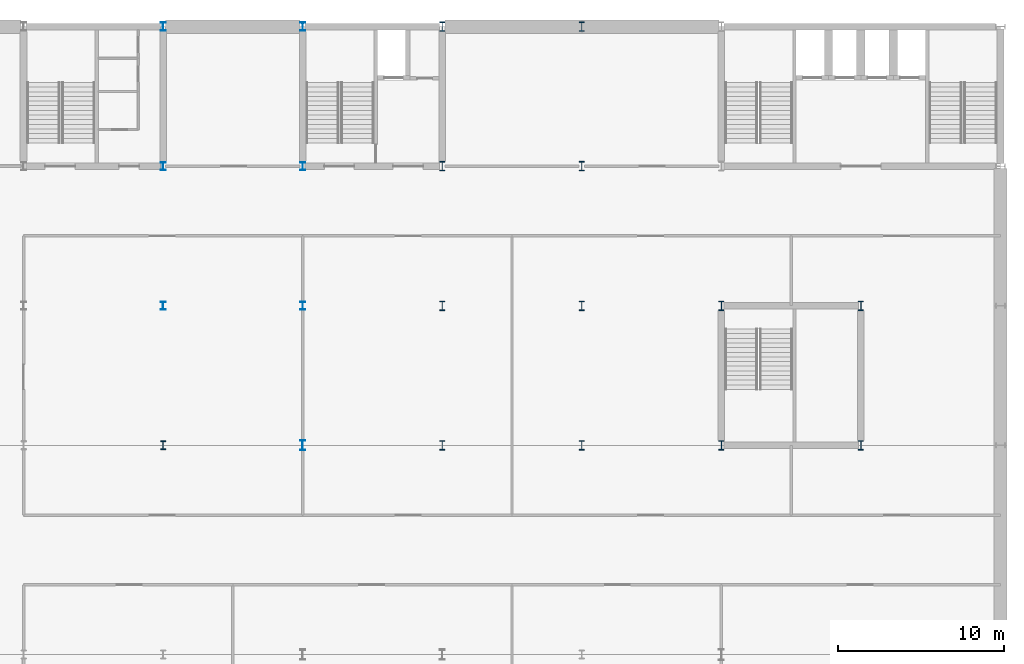
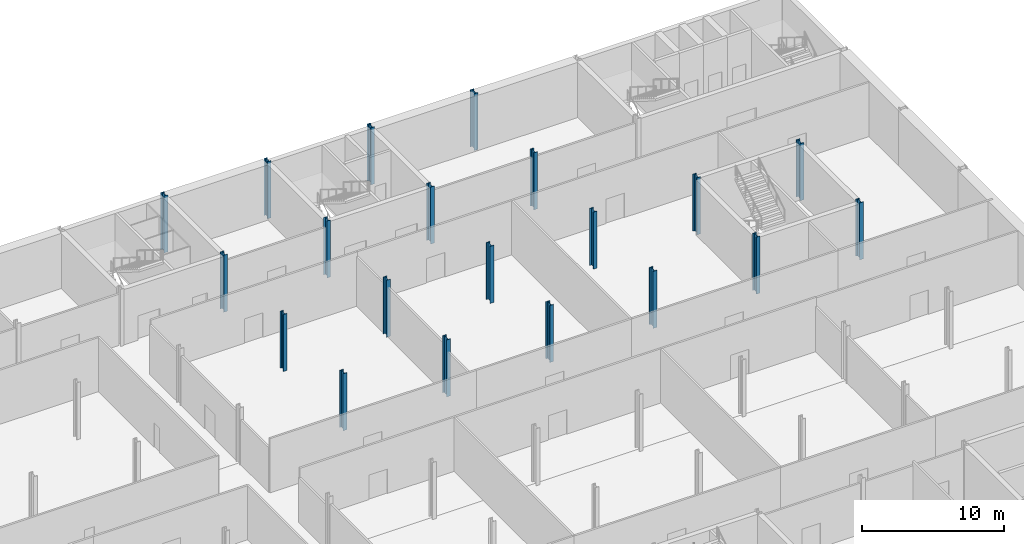
# One storey, part 7 of 20: 20 columns.
"""IFC4 building model written with IfcOpenShell, lengths in metres."""

import ifcopenshell
import ifcopenshell.guid

model = None  # the IFC model being written
_history = None  # IfcOwnerHistory: only IFC2X3 demands one
_inside = {}  # id of a spatial element -> (the spatial element, [elements in it])
_under = {}  # id of a project, library or spatial element -> (it, [spatial elements below it])
_declared = {}  # id of a project -> (the project, [libraries it declares])
_typed = {}  # id of a type object -> (the type object, [elements of that type])
_made_of = {}  # id of a material, layer set ... -> (it, [elements and type objects made of it])


def new_model(schema):
    """Start an empty IFC model of exactly this schema.

    Asked for "IFC4X3", IfcOpenShell would pick the latest addendum, in which some entities
    have other attributes; the version numbers below select the first issue.
    IFC2X3 requires an IfcOwnerHistory on every rooted entity: one is made here for all.
    """
    global model, _history
    if schema == "IFC4X3":
        model = ifcopenshell.file(schema_version=(4, 3, 0, 0))
    else:
        model = ifcopenshell.file(schema=schema)
    _inside.clear()
    _under.clear()
    _declared.clear()
    _typed.clear()
    _made_of.clear()
    _history = None
    if model.schema == "IFC2X3":
        org = make("IfcOrganization", Name="unknown")
        user = make(
            "IfcPersonAndOrganization",
            ThePerson=make("IfcPerson", FamilyName="unknown"),
            TheOrganization=org,
        )
        app = make(
            "IfcApplication",
            ApplicationDeveloper=org,
            Version="unknown",
            ApplicationFullName="unknown",
            ApplicationIdentifier="unknown",
        )
        _history = make(
            "IfcOwnerHistory",
            OwningUser=user,
            OwningApplication=app,
            ChangeAction="ADDED",
            CreationDate=0,
        )
    return model


def make(cls, **values):
    """One entity of the class cls with the attributes given. An attribute that is None is left unset."""
    return model.create_entity(
        cls, **{name: value for name, value in values.items() if value is not None}
    )


def rooted(cls, **values):
    """An entity with a GlobalId (a new one), such as an element, a storey or a relation."""
    return make(cls, GlobalId=ifcopenshell.guid.new(), OwnerHistory=_history, **values)


def si_unit(unit_type, name, prefix=None):
    """IfcSIUnit, for example si_unit("LENGTHUNIT", "METRE", prefix="MILLI")."""
    return make("IfcSIUnit", UnitType=unit_type, Prefix=prefix, Name=name)


def assignment(units):
    """IfcUnitAssignment: the units of a project."""
    return None if units is None else make("IfcUnitAssignment", Units=units)


def point(xyz):
    """IfcCartesianPoint."""
    return None if xyz is None else make("IfcCartesianPoint", Coordinates=xyz)


def direction(xyz):
    """IfcDirection."""
    return None if xyz is None else make("IfcDirection", DirectionRatios=xyz)


def frame(location, z_axis=None, x_axis=None):
    """IfcAxis2Placement3D, a coordinate frame: its origin and axes. An axis left out is left unset."""
    return make(
        "IfcAxis2Placement3D",
        Location=point(location),
        Axis=direction(z_axis),
        RefDirection=direction(x_axis),
    )


def frame_2d(location, x_axis=None):
    """IfcAxis2Placement2D, a coordinate frame in the plane: its origin and x axis."""
    return make(
        "IfcAxis2Placement2D", Location=point(location), RefDirection=direction(x_axis)
    )


def origin():
    """The frame at (0, 0, 0) with its axes left unset."""
    return frame((0.0, 0.0, 0.0))


def origin_2d():
    """The frame at (0, 0) in the plane with its x axis left unset."""
    return frame_2d((0.0, 0.0))


def place(relative_to, where):
    """IfcLocalPlacement: puts the frame where relative to a parent placement (None: the world)."""
    return make(
        "IfcLocalPlacement", PlacementRelTo=relative_to, RelativePlacement=where
    )


def context(
    kind, dimensions, precision=None, world=None, true_north=None, identifier=None
):
    """IfcGeometricRepresentationContext, for example the 3D "Model" context."""
    return make(
        "IfcGeometricRepresentationContext",
        ContextIdentifier=identifier,
        ContextType=kind,
        CoordinateSpaceDimension=dimensions,
        Precision=precision,
        WorldCoordinateSystem=world,
        TrueNorth=true_north,
    )


def subcontext(parent, identifier, kind, view, scale=None):
    """IfcGeometricRepresentationSubContext, for example "Body" below "Model"."""
    return make(
        "IfcGeometricRepresentationSubContext",
        ContextIdentifier=identifier,
        ContextType=kind,
        ParentContext=parent,
        TargetScale=scale,
        TargetView=view,
    )


def project(units=None, contexts=None):
    """IfcProject with its units and contexts."""
    return rooted(
        "IfcProject",
        Name="project",
        RepresentationContexts=contexts,
        UnitsInContext=assignment(units),
    )


def spatial(cls, under=None, at=None, **own):
    """A site, building, storey or space (cls), placed at a placement, below another one or the project."""
    s = rooted(cls, ObjectPlacement=at, **own)
    if under is not None:
        _under.setdefault(under.id(), (under, []))[1].append(s)
    return s


def profile(cls, at=None, kind="AREA", **sizes):
    """A parametric profile (cls). Its sizes go by their IFC names, for example OverallWidth=200.0."""
    return make(cls, ProfileType=kind, Position=at, **sizes)


def i_section(**sizes):
    """IfcIShapeProfileDef."""
    return profile("IfcIShapeProfileDef", **sizes)


def extrude(swept, where, along, depth):
    """IfcExtrudedAreaSolid: the profile swept, set in the frame where, extruded along a direction by depth."""
    return make(
        "IfcExtrudedAreaSolid",
        SweptArea=swept,
        Position=where,
        ExtrudedDirection=direction(along),
        Depth=depth,
    )


def shape(context_of_items, identifier, shape_type, items):
    """IfcShapeRepresentation: the items that make up one representation, for example the "Body"."""
    return make(
        "IfcShapeRepresentation",
        ContextOfItems=context_of_items,
        RepresentationIdentifier=identifier,
        RepresentationType=shape_type,
        Items=items,
    )


def material(Name=None, Category=None):
    """IfcMaterial."""
    return make("IfcMaterial", Name=Name, Category=Category)


def material_profile(
    of_material, cross_section, Name=None, Category=None, Priority=None
):
    """IfcMaterialProfile: a cross section and its material."""
    return make(
        "IfcMaterialProfile",
        Name=Name,
        Material=of_material,
        Profile=cross_section,
        Priority=Priority,
        Category=Category,
    )


def profile_set(profiles, Name=None, composite=None):
    """IfcMaterialProfileSet."""
    return make(
        "IfcMaterialProfileSet",
        Name=Name,
        MaterialProfiles=profiles,
        CompositeProfile=composite,
    )


def made_of(thing, what):
    """Note that an element or type object is made of a material, layer set ...; save() writes the relation."""
    if what is not None:
        _made_of.setdefault(what.id(), (what, []))[1].append(thing)
    return thing


def type_object(cls, material=None, **own):
    """A type object (cls), such as IfcWallType, which elements share."""
    return made_of(rooted(cls, **own), material)


def element(
    cls,
    number,
    at=None,
    inside=None,
    cuts=None,
    type_object=None,
    material=None,
    context=None,
    identifier="Body",
    shape_type=None,
    held_by="IfcProductDefinitionShape",
    body=None,
    shapes=None,
    **own,
):
    """One element of the class cls, such as IfcWall. Its Tag is "e" and its number.

    at: its placement. inside: the storey or other place that contains it. cuts: it is an
    opening in that element (IfcRelVoidsElement). A single representation is given by context,
    identifier, shape_type and body (its items); several are given by shapes. held_by: the class
    of the entity that holds the representations. save() writes the other relations.
    """
    e = rooted(cls, Tag="e%d" % number, ObjectPlacement=at, **own)
    if body is not None:
        shapes = [shape(context, identifier, shape_type, body)]
    if shapes is not None:
        e.Representation = make(held_by, Representations=shapes)
    if inside is not None:
        _inside.setdefault(inside.id(), (inside, []))[1].append(e)
    if cuts is not None:
        rooted(
            "IfcRelVoidsElement", RelatingBuildingElement=cuts, RelatedOpeningElement=e
        )
    if type_object is not None:
        _typed.setdefault(type_object.id(), (type_object, []))[1].append(e)
    return made_of(e, material)


def aggregate(whole, parts):
    """IfcRelAggregates: a whole, such as a stair, and the parts it consists of."""
    return rooted("IfcRelAggregates", RelatingObject=whole, RelatedObjects=parts)


def save(model, path):
    """Write the relations noted so far, then the file.

    IfcRelAggregates (storeys below a building ...), IfcRelContainedInSpatialStructure (elements
    in a storey), IfcRelDefinesByType, IfcRelAssociatesMaterial and IfcRelDeclares: one each for
    every whole, place, type object, material and project.
    """
    for whole, parts in _under.values():
        aggregate(whole, parts)
    for where, things in _inside.values():
        rooted(
            "IfcRelContainedInSpatialStructure",
            RelatedElements=things,
            RelatingStructure=where,
        )
    for kind, things in _typed.values():
        rooted("IfcRelDefinesByType", RelatedObjects=things, RelatingType=kind)
    for what, things in _made_of.values():
        rooted("IfcRelAssociatesMaterial", RelatedObjects=things, RelatingMaterial=what)
    for by, libraries in _declared.values():
        rooted("IfcRelDeclares", RelatingContext=by, RelatedDefinitions=libraries)
    model.write(path)


model = new_model("IFC4")

# Units and contexts
model_context = context("Model", 3, precision=1e-05, world=origin(), true_north=direction((0.0, 1.0)))
body_context = subcontext(model_context, "Body", "Model", "MODEL_VIEW")
ifc_project = project(units=[si_unit("LENGTHUNIT", "METRE"), si_unit("AREAUNIT", "SQUARE_METRE"), si_unit("VOLUMEUNIT", "CUBIC_METRE"), si_unit("PLANEANGLEUNIT", "RADIAN"), si_unit("MASSUNIT", "GRAM", prefix="KILO")], contexts=[model_context])

# Site, building, storey
site_placement = place(None, origin())
site = spatial("IfcSite", under=ifc_project, at=site_placement, CompositionType="ELEMENT")
building_placement = place(site_placement, origin())
building = spatial("IfcBuilding", under=site, at=building_placement, Name="Galleria Vessillo Department Store", CompositionType="ELEMENT")
storey_placement = place(building_placement, frame((0.0, 0.0, -4.89990234375)))
storey = spatial("IfcBuildingStorey", under=building, at=storey_placement, Name="B1", CompositionType="ELEMENT", Elevation=-4.89990234375)

# Columns
ifc_material_1 = material(Name="Steel S355 J2", Category="steel")
ifc_material_profile_1 = material_profile(ifc_material_1, i_section(OverallWidth=0.300048828125, OverallDepth=0.5, WebThickness=0.014404296875, FlangeThickness=0.028076171875, FilletRadius=0.027099609375, at=origin_2d()), Name="HEB 500")
ifc_profile_set_1 = profile_set([ifc_material_profile_1], Name="Steel S355 J2")
column_type_1 = type_object("IfcColumnType", Name="Steel column HEB 500 CP1", PredefinedType="COLUMN", material=ifc_profile_set_1)
for number, where, z_axis, x_axis, name in (
    (1, (67.199951171875, 46.199951171875, 0.0), (0.0, 0.0, 1.0), (1.0, 0.0, 0.0), "S-COL-B1-9-F"),
    (2, (67.199951171875, 54.60009765625, 0.0), (0.0, 0.0, 1.0), (1.0, 0.0, 0.0), "S-COL-B1-9-G"),
    (3, (67.199951171875, 63.0, 0.0), (0.0, 0.0, 1.0), (1.0, 0.0, 0.0), "S-COL-B1-9-H"),
    (4, (75.60009765625, 46.199951171875, 0.0), (0.0, 0.0, 1.0), (1.0, 0.0, 0.0), "S-COL-B1-10-F"),
    (5, (75.60009765625, 54.60009765625, 0.0), (0.0, 0.0, 1.0), (1.0, 0.0, 0.0), "S-COL-B1-10-G"),
    (6, (75.60009765625, 63.0, 0.0), (0.0, 0.0, 1.0), (1.0, 0.0, 0.0), "S-COL-B1-10-H"),
):
    element("IfcColumn", number, at=place(storey_placement, frame(where, z_axis=z_axis, x_axis=x_axis)), inside=storey, type_object=column_type_1, Name=name, PredefinedType="COLUMN", context=body_context, shape_type="SweptSolid", body=[
        extrude(i_section(OverallWidth=0.300048828125, OverallDepth=0.5, WebThickness=0.014404296875, FlangeThickness=0.028076171875, FilletRadius=0.027099609375, at=origin_2d()), origin(), (0.0, 0.0, 1.0), 4.89990234375),
    ])
ifc_material_2 = material(Name="Steel S355 J2", Category="steel")
ifc_material_profile_2 = material_profile(ifc_material_2, i_section(OverallWidth=0.305908203125, OverallDepth=0.52392578125, WebThickness=0.02099609375, FlangeThickness=0.0400390625, FilletRadius=0.027099609375, at=origin_2d()), Name="HEM 500")
ifc_profile_set_2 = profile_set([ifc_material_profile_2], Name="Steel S355 J2")
column_type_2 = type_object("IfcColumnType", Name="Steel column HEM 500 CV1", PredefinedType="COLUMN", material=ifc_profile_set_2)
column_1_placement = place(storey_placement, frame((67.199951171875, 37.800048828125, 0.0), z_axis=(0.0, 0.0, 1.0), x_axis=(1.0, 0.0, 0.0)))
element("IfcColumn", 7, at=column_1_placement, inside=storey, type_object=column_type_2, Name="S-COL-B1-9-E", PredefinedType="COLUMN", context=body_context, shape_type="SweptSolid", body=[
    extrude(i_section(OverallWidth=0.305908203125, OverallDepth=0.52392578125, WebThickness=0.02099609375, FlangeThickness=0.0400390625, FilletRadius=0.027099609375, at=origin_2d()), origin(), (0.0, 0.0, 1.0), 4.89990234375),
])
ifc_material_3 = material(Name="Steel S355 J2", Category="steel")
ifc_material_profile_3 = material_profile(ifc_material_3, i_section(OverallWidth=0.305908203125, OverallDepth=0.572021484375, WebThickness=0.02099609375, FlangeThickness=0.0400390625, FilletRadius=0.027099609375, at=origin_2d()), Name="HEM 550")
ifc_profile_set_3 = profile_set([ifc_material_profile_3], Name="Steel S355 J2")
column_type_3 = type_object("IfcColumnType", Name="Steel column HEM 550 CT1", PredefinedType="COLUMN", material=ifc_profile_set_3)
for number, where, z_axis, x_axis, name in (
    (8, (84.0, 37.800048828125, 0.0), (0.0, 0.0, 1.0), (1.0, 0.0, 0.0), "S-COL-B1-11-E"),
    (9, (84.0, 46.199951171875, 0.0), (0.0, 0.0, 1.0), (1.0, 0.0, 0.0), "S-COL-B1-11-F"),
    (10, (84.0, 54.60009765625, 0.0), (0.0, 0.0, 1.0), (1.0, 0.0, 0.0), "S-COL-B1-11-G"),
    (11, (84.0, 63.0, 0.0), (0.0, 0.0, 1.0), (1.0, 0.0, 0.0), "S-COL-B1-11-H"),
    (12, (92.39990234375, 37.800048828125, 0.0), (0.0, 0.0, 1.0), (1.0, 0.0, 0.0), "S-COL-B1-12-E"),
    (13, (92.39990234375, 46.199951171875, 0.0), (0.0, 0.0, 1.0), (1.0, 0.0, 0.0), "S-COL-B1-12-F"),
    (14, (92.39990234375, 54.60009765625, 0.0), (0.0, 0.0, 1.0), (1.0, 0.0, 0.0), "S-COL-B1-12-G"),
    (15, (92.39990234375, 63.0, 0.0), (0.0, 0.0, 1.0), (1.0, 0.0, 0.0), "S-COL-B1-12-H"),
    (16, (100.800048828125, 37.800048828125, 0.0), (0.0, 0.0, 1.0), (1.0, 0.0, 0.0), "S-COL-B1-13-E"),
    (17, (100.800048828125, 46.199951171875, 0.0), (0.0, 0.0, 1.0), (1.0, 0.0, 0.0), "S-COL-B1-13-F"),
    (18, (109.199951171875, 37.800048828125, 0.0), (0.0, 0.0, 1.0), (1.0, 0.0, 0.0), "S-COL-B1-14-E"),
    (19, (109.199951171875, 46.199951171875, 0.0), (0.0, 0.0, 1.0), (1.0, 0.0, 0.0), "S-COL-B1-14-F"),
):
    element("IfcColumn", number, at=place(storey_placement, frame(where, z_axis=z_axis, x_axis=x_axis)), inside=storey, type_object=column_type_3, Name=name, PredefinedType="COLUMN", context=body_context, shape_type="SweptSolid", body=[
        extrude(i_section(OverallWidth=0.305908203125, OverallDepth=0.572021484375, WebThickness=0.02099609375, FlangeThickness=0.0400390625, FilletRadius=0.027099609375, at=origin_2d()), origin(), (0.0, 0.0, 1.0), 4.89990234375),
    ])
ifc_material_4 = material(Name="Steel S355 J2", Category="steel")
ifc_material_profile_4 = material_profile(ifc_material_4, i_section(OverallWidth=0.304931640625, OverallDepth=0.6201171875, WebThickness=0.02099609375, FlangeThickness=0.0400390625, FilletRadius=0.027099609375, at=origin_2d()), Name="HEM 600")
ifc_profile_set_4 = profile_set([ifc_material_profile_4], Name="Steel S355 J2")
column_type_4 = type_object("IfcColumnType", Name="Steel column HEM 600 CV2", PredefinedType="COLUMN", material=ifc_profile_set_4)
column_2_placement = place(storey_placement, frame((75.60009765625, 37.800048828125, 0.0), z_axis=(0.0, 0.0, 1.0), x_axis=(1.0, 0.0, 0.0)))
element("IfcColumn", 20, at=column_2_placement, inside=storey, type_object=column_type_4, Name="S-COL-B1-10-E", PredefinedType="COLUMN", context=body_context, shape_type="SweptSolid", body=[
    extrude(i_section(OverallWidth=0.304931640625, OverallDepth=0.6201171875, WebThickness=0.02099609375, FlangeThickness=0.0400390625, FilletRadius=0.027099609375, at=origin_2d()), origin(), (0.0, 0.0, 1.0), 4.89990234375),
])

save(model, "model.ifc")
